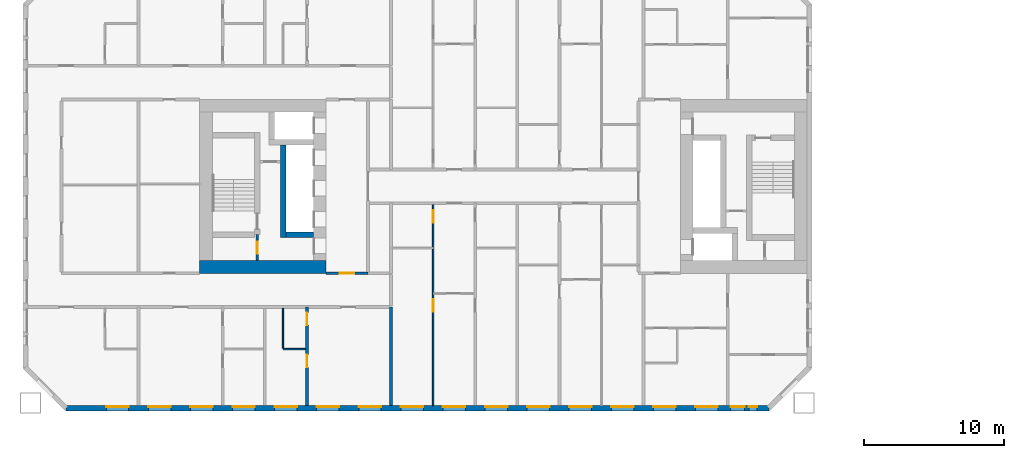
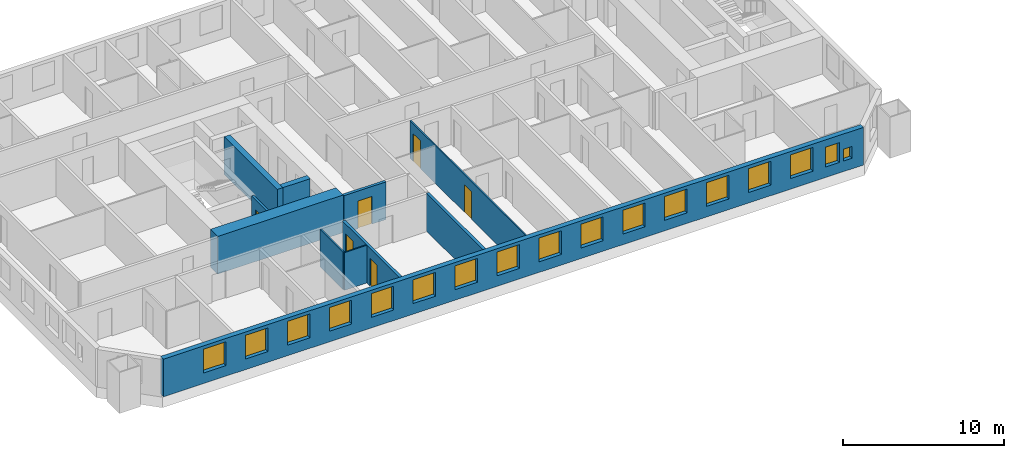
# One storey, part 3 of 16: 17 windows, 11 walls, 6 doors, 23 openings.
"""IFC4 building model written with IfcOpenShell, lengths in metres."""

from ifc_helpers import new_model, si_unit, direction, frame, frame_2d, origin, place, context, subcontext, project, spatial, rectangle, extrude, material, layer, layer_set, type_object, element, fill, save


model = new_model("IFC4")

# Units and contexts
model_context = context("Model", 3, precision=1e-05, world=origin(), true_north=direction((0.0, 1.0)))
body_context = subcontext(model_context, "Body", "Model", "MODEL_VIEW")
ifc_project = project(units=[si_unit("LENGTHUNIT", "METRE"), si_unit("AREAUNIT", "SQUARE_METRE"), si_unit("VOLUMEUNIT", "CUBIC_METRE"), si_unit("PLANEANGLEUNIT", "RADIAN"), si_unit("MASSUNIT", "GRAM", prefix="KILO")], contexts=[model_context])

# Site, building, storey
site_placement = place(None, origin())
site = spatial("IfcSite", under=ifc_project, at=site_placement, CompositionType="ELEMENT")
building_placement = place(site_placement, origin())
building = spatial("IfcBuilding", under=site, at=building_placement, Name="Tuart Gate Housing", CompositionType="ELEMENT")
storey_placement = place(building_placement, frame((0.0, 0.0, 19.5)))
storey = spatial("IfcBuildingStorey", under=building, at=storey_placement, Name="L04", CompositionType="ELEMENT", Elevation=19.5)

# Wall, openings, windows
ifc_material_1 = material(Name="Brick", Category="masonry")
ifc_layer_1 = layer(ifc_material_1, 0.360107421875)
ifc_layer_set_1 = layer_set([ifc_layer_1], Name="Brick pier and spandrel wall 360")
wall_type_1 = type_object("IfcWallType", Name="Brick pier and spandrel wall 360", PredefinedType="STANDARD", material=ifc_layer_set_1)
wall_1_placement = place(storey_placement, frame((22.82470703125, 54.179931640625, 0.0), z_axis=(0.0, 0.0, 1.0), x_axis=(1.0, 0.0, 0.0)))
wall_1 = element("IfcWall", 1, at=wall_1_placement, inside=storey, type_object=wall_type_1, Name="External wall A-S L04", PredefinedType="STANDARD", context=body_context, shape_type="SweptSolid", body=[
    extrude(rectangle(XDim=50.100830078125, YDim=0.360107421875, at=frame_2d((25.05029296875, 0.0))), origin(), (0.0, 0.0, 1.0), 2.85009765625),
])
opening_1_placement = place(wall_1_placement, frame((2.87548828125, 0.0, 0.800048828125)))
opening_1 = element("IfcOpeningElement", 2, at=opening_1_placement, cuts=wall_1, Name="Opening W1", PredefinedType="OPENING", context=body_context, shape_type="SweptSolid", body=[
    extrude(rectangle(XDim=1.60009765625, YDim=1.800048828125, at=frame_2d((0.800048828125, 0.89990234375))), frame((0.0, 0.18994140625, 0.0), z_axis=(0.0, -1.0, 0.0), x_axis=(1.0, 0.0, 0.0)), (0.0, 0.0, 1.0), 0.380126953125),
])
opening_2_placement = place(wall_1_placement, frame((5.87548828125, 0.0, 0.800048828125)))
opening_2 = element("IfcOpeningElement", 3, at=opening_2_placement, cuts=wall_1, Name="Opening W1", PredefinedType="OPENING", context=body_context, shape_type="SweptSolid", body=[
    extrude(rectangle(XDim=1.60009765625, YDim=1.800048828125, at=frame_2d((0.800048828125, 0.89990234375))), frame((0.0, 0.18994140625, 0.0), z_axis=(0.0, -1.0, 0.0), x_axis=(1.0, 0.0, 0.0)), (0.0, 0.0, 1.0), 0.380126953125),
])
opening_3_placement = place(wall_1_placement, frame((8.87548828125, 0.0, 0.800048828125)))
opening_3 = element("IfcOpeningElement", 4, at=opening_3_placement, cuts=wall_1, Name="Opening W1", PredefinedType="OPENING", context=body_context, shape_type="SweptSolid", body=[
    extrude(rectangle(XDim=1.60009765625, YDim=1.800048828125, at=frame_2d((0.800048828125, 0.89990234375))), frame((0.0, 0.18994140625, 0.0), z_axis=(0.0, -1.0, 0.0), x_axis=(1.0, 0.0, 0.0)), (0.0, 0.0, 1.0), 0.380126953125),
])
opening_4_placement = place(wall_1_placement, frame((11.87548828125, 0.0, 0.800048828125)))
opening_4 = element("IfcOpeningElement", 5, at=opening_4_placement, cuts=wall_1, Name="Opening W1", PredefinedType="OPENING", context=body_context, shape_type="SweptSolid", body=[
    extrude(rectangle(XDim=1.60009765625, YDim=1.800048828125, at=frame_2d((0.800048828125, 0.89990234375))), frame((0.0, 0.18994140625, 0.0), z_axis=(0.0, -1.0, 0.0), x_axis=(1.0, 0.0, 0.0)), (0.0, 0.0, 1.0), 0.380126953125),
])
opening_5_placement = place(wall_1_placement, frame((14.87548828125, 0.0, 0.800048828125)))
opening_5 = element("IfcOpeningElement", 6, at=opening_5_placement, cuts=wall_1, Name="Opening W1", PredefinedType="OPENING", context=body_context, shape_type="SweptSolid", body=[
    extrude(rectangle(XDim=1.60009765625, YDim=1.800048828125, at=frame_2d((0.800048828125, 0.89990234375))), frame((0.0, 0.18994140625, 0.0), z_axis=(0.0, -1.0, 0.0), x_axis=(1.0, 0.0, 0.0)), (0.0, 0.0, 1.0), 0.380126953125),
])
opening_6_placement = place(wall_1_placement, frame((17.87548828125, 0.0, 0.800048828125)))
opening_6 = element("IfcOpeningElement", 7, at=opening_6_placement, cuts=wall_1, Name="Opening W1", PredefinedType="OPENING", context=body_context, shape_type="SweptSolid", body=[
    extrude(rectangle(XDim=1.60009765625, YDim=1.800048828125, at=frame_2d((0.800048828125, 0.89990234375))), frame((0.0, 0.18994140625, 0.0), z_axis=(0.0, -1.0, 0.0), x_axis=(1.0, 0.0, 0.0)), (0.0, 0.0, 1.0), 0.380126953125),
])
opening_7_placement = place(wall_1_placement, frame((20.87548828125, 0.0, 0.800048828125)))
opening_7 = element("IfcOpeningElement", 8, at=opening_7_placement, cuts=wall_1, Name="Opening W1", PredefinedType="OPENING", context=body_context, shape_type="SweptSolid", body=[
    extrude(rectangle(XDim=1.60009765625, YDim=1.800048828125, at=frame_2d((0.800048828125, 0.89990234375))), frame((0.0, 0.18994140625, 0.0), z_axis=(0.0, -1.0, 0.0), x_axis=(1.0, 0.0, 0.0)), (0.0, 0.0, 1.0), 0.380126953125),
])
opening_8_placement = place(wall_1_placement, frame((23.87548828125, 0.0, 0.800048828125)))
opening_8 = element("IfcOpeningElement", 9, at=opening_8_placement, cuts=wall_1, Name="Opening W1", PredefinedType="OPENING", context=body_context, shape_type="SweptSolid", body=[
    extrude(rectangle(XDim=1.60009765625, YDim=1.800048828125, at=frame_2d((0.800048828125, 0.89990234375))), frame((0.0, 0.18994140625, 0.0), z_axis=(0.0, -1.0, 0.0), x_axis=(1.0, 0.0, 0.0)), (0.0, 0.0, 1.0), 0.380126953125),
])
opening_9_placement = place(wall_1_placement, frame((26.87548828125, 0.0, 0.800048828125)))
opening_9 = element("IfcOpeningElement", 10, at=opening_9_placement, cuts=wall_1, Name="Opening W1", PredefinedType="OPENING", context=body_context, shape_type="SweptSolid", body=[
    extrude(rectangle(XDim=1.60009765625, YDim=1.800048828125, at=frame_2d((0.800048828125, 0.89990234375))), frame((0.0, 0.18994140625, 0.0), z_axis=(0.0, -1.0, 0.0), x_axis=(1.0, 0.0, 0.0)), (0.0, 0.0, 1.0), 0.380126953125),
])
opening_10_placement = place(wall_1_placement, frame((29.87548828125, 0.0, 0.800048828125)))
opening_10 = element("IfcOpeningElement", 11, at=opening_10_placement, cuts=wall_1, Name="Opening W1", PredefinedType="OPENING", context=body_context, shape_type="SweptSolid", body=[
    extrude(rectangle(XDim=1.60009765625, YDim=1.800048828125, at=frame_2d((0.800048828125, 0.89990234375))), frame((0.0, 0.18994140625, 0.0), z_axis=(0.0, -1.0, 0.0), x_axis=(1.0, 0.0, 0.0)), (0.0, 0.0, 1.0), 0.380126953125),
])
opening_11_placement = place(wall_1_placement, frame((32.87548828125, 0.0, 0.800048828125)))
opening_11 = element("IfcOpeningElement", 12, at=opening_11_placement, cuts=wall_1, Name="Opening W1", PredefinedType="OPENING", context=body_context, shape_type="SweptSolid", body=[
    extrude(rectangle(XDim=1.60009765625, YDim=1.800048828125, at=frame_2d((0.800048828125, 0.89990234375))), frame((0.0, 0.18994140625, 0.0), z_axis=(0.0, -1.0, 0.0), x_axis=(1.0, 0.0, 0.0)), (0.0, 0.0, 1.0), 0.380126953125),
])
opening_12_placement = place(wall_1_placement, frame((35.87548828125, 0.0, 0.800048828125)))
opening_12 = element("IfcOpeningElement", 13, at=opening_12_placement, cuts=wall_1, Name="Opening W1", PredefinedType="OPENING", context=body_context, shape_type="SweptSolid", body=[
    extrude(rectangle(XDim=1.60009765625, YDim=1.800048828125, at=frame_2d((0.800048828125, 0.89990234375))), frame((0.0, 0.18994140625, 0.0), z_axis=(0.0, -1.0, 0.0), x_axis=(1.0, 0.0, 0.0)), (0.0, 0.0, 1.0), 0.380126953125),
])
opening_13_placement = place(wall_1_placement, frame((38.87548828125, 0.0, 0.800048828125)))
opening_13 = element("IfcOpeningElement", 14, at=opening_13_placement, cuts=wall_1, Name="Opening W1", PredefinedType="OPENING", context=body_context, shape_type="SweptSolid", body=[
    extrude(rectangle(XDim=1.60009765625, YDim=1.800048828125, at=frame_2d((0.800048828125, 0.89990234375))), frame((0.0, 0.18994140625, 0.0), z_axis=(0.0, -1.0, 0.0), x_axis=(1.0, 0.0, 0.0)), (0.0, 0.0, 1.0), 0.380126953125),
])
opening_14_placement = place(wall_1_placement, frame((41.87548828125, 0.0, 0.800048828125)))
opening_14 = element("IfcOpeningElement", 15, at=opening_14_placement, cuts=wall_1, Name="Opening W1", PredefinedType="OPENING", context=body_context, shape_type="SweptSolid", body=[
    extrude(rectangle(XDim=1.60009765625, YDim=1.800048828125, at=frame_2d((0.800048828125, 0.89990234375))), frame((0.0, 0.18994140625, 0.0), z_axis=(0.0, -1.0, 0.0), x_axis=(1.0, 0.0, 0.0)), (0.0, 0.0, 1.0), 0.380126953125),
])
opening_15_placement = place(wall_1_placement, frame((44.87548828125, 0.0, 0.800048828125)))
opening_15 = element("IfcOpeningElement", 16, at=opening_15_placement, cuts=wall_1, Name="Opening W1", PredefinedType="OPENING", context=body_context, shape_type="SweptSolid", body=[
    extrude(rectangle(XDim=1.60009765625, YDim=1.800048828125, at=frame_2d((0.800048828125, 0.89990234375))), frame((0.0, 0.18994140625, 0.0), z_axis=(0.0, -1.0, 0.0), x_axis=(1.0, 0.0, 0.0)), (0.0, 0.0, 1.0), 0.380126953125),
])
opening_16_placement = place(wall_1_placement, frame((47.37548828125, 0.0, 0.800048828125)))
opening_16 = element("IfcOpeningElement", 17, at=opening_16_placement, cuts=wall_1, Name="Opening W1I", PredefinedType="OPENING", context=body_context, shape_type="SweptSolid", body=[
    extrude(rectangle(XDim=1.0, YDim=1.5, at=frame_2d((0.5, 0.75))), frame((0.0, 0.18994140625, 0.0), z_axis=(0.0, -1.0, 0.0), x_axis=(1.0, 0.0, 0.0)), (0.0, 0.0, 1.0), 0.380126953125),
])
opening_17_placement = place(wall_1_placement, frame((48.67529296875, 0.0, 0.800048828125)))
opening_17 = element("IfcOpeningElement", 18, at=opening_17_placement, cuts=wall_1, Name="Opening W1W", PredefinedType="OPENING", context=body_context, shape_type="SweptSolid", body=[
    extrude(rectangle(XDim=0.60009765625, YDim=0.89990234375, at=frame_2d((0.300048828125, 0.449951171875))), frame((0.0, 0.18994140625, 0.0), z_axis=(0.0, -1.0, 0.0), x_axis=(1.0, 0.0, 0.0)), (0.0, 0.0, 1.0), 0.380126953125),
])
ifc_material_2 = material(Name="Aluminium frame with clear glass", Category="aluminium")
window_type_1 = type_object("IfcWindowType", Name="Punched window 1000 x 1500", PartitioningType="SINGLE_PANEL", PredefinedType="WINDOW", material=ifc_material_2)
window_1_placement = place(opening_16_placement, origin())
window_1 = element("IfcWindow", 19, at=window_1_placement, inside=storey, type_object=window_type_1, Name="Window W1I", OverallHeight=1.5, OverallWidth=1.0, PartitioningType="SINGLE_PANEL", PredefinedType="WINDOW", context=body_context, shape_type="SweptSolid", body=[
    extrude(rectangle(XDim=1.0, YDim=1.5, at=frame_2d((0.5, 0.75))), frame((0.0, 0.150146484375, 0.0), z_axis=(0.0, -1.0, 0.0), x_axis=(1.0, 0.0, 0.0)), (0.0, 0.0, 1.0), 0.06005859375),
])
fill(opening_16, window_1)
ifc_material_3 = material(Name="Aluminium frame with clear glass", Category="aluminium")
window_type_2 = type_object("IfcWindowType", Name="Punched window 1600 x 1800", PartitioningType="SINGLE_PANEL", PredefinedType="WINDOW", material=ifc_material_3)
window_2_placement = place(opening_1_placement, origin())
window_2 = element("IfcWindow", 20, at=window_2_placement, inside=storey, type_object=window_type_2, Name="Window W1", OverallHeight=1.800048828125, OverallWidth=1.60009765625, PartitioningType="SINGLE_PANEL", PredefinedType="WINDOW", context=body_context, shape_type="SweptSolid", body=[
    extrude(rectangle(XDim=1.60009765625, YDim=1.800048828125, at=frame_2d((0.800048828125, 0.89990234375))), frame((0.0, 0.150146484375, 0.0), z_axis=(0.0, -1.0, 0.0), x_axis=(1.0, 0.0, 0.0)), (0.0, 0.0, 1.0), 0.06005859375),
])
fill(opening_1, window_2)
window_3_placement = place(opening_2_placement, origin())
window_3 = element("IfcWindow", 21, at=window_3_placement, inside=storey, type_object=window_type_2, Name="Window W1", OverallHeight=1.800048828125, OverallWidth=1.60009765625, PartitioningType="SINGLE_PANEL", PredefinedType="WINDOW", context=body_context, shape_type="SweptSolid", body=[
    extrude(rectangle(XDim=1.60009765625, YDim=1.800048828125, at=frame_2d((0.800048828125, 0.89990234375))), frame((0.0, 0.150146484375, 0.0), z_axis=(0.0, -1.0, 0.0), x_axis=(1.0, 0.0, 0.0)), (0.0, 0.0, 1.0), 0.06005859375),
])
fill(opening_2, window_3)
window_4_placement = place(opening_3_placement, origin())
window_4 = element("IfcWindow", 22, at=window_4_placement, inside=storey, type_object=window_type_2, Name="Window W1", OverallHeight=1.800048828125, OverallWidth=1.60009765625, PartitioningType="SINGLE_PANEL", PredefinedType="WINDOW", context=body_context, shape_type="SweptSolid", body=[
    extrude(rectangle(XDim=1.60009765625, YDim=1.800048828125, at=frame_2d((0.800048828125, 0.89990234375))), frame((0.0, 0.150146484375, 0.0), z_axis=(0.0, -1.0, 0.0), x_axis=(1.0, 0.0, 0.0)), (0.0, 0.0, 1.0), 0.06005859375),
])
fill(opening_3, window_4)
window_5_placement = place(opening_4_placement, origin())
window_5 = element("IfcWindow", 23, at=window_5_placement, inside=storey, type_object=window_type_2, Name="Window W1", OverallHeight=1.800048828125, OverallWidth=1.60009765625, PartitioningType="SINGLE_PANEL", PredefinedType="WINDOW", context=body_context, shape_type="SweptSolid", body=[
    extrude(rectangle(XDim=1.60009765625, YDim=1.800048828125, at=frame_2d((0.800048828125, 0.89990234375))), frame((0.0, 0.150146484375, 0.0), z_axis=(0.0, -1.0, 0.0), x_axis=(1.0, 0.0, 0.0)), (0.0, 0.0, 1.0), 0.06005859375),
])
fill(opening_4, window_5)
window_6_placement = place(opening_5_placement, origin())
window_6 = element("IfcWindow", 24, at=window_6_placement, inside=storey, type_object=window_type_2, Name="Window W1", OverallHeight=1.800048828125, OverallWidth=1.60009765625, PartitioningType="SINGLE_PANEL", PredefinedType="WINDOW", context=body_context, shape_type="SweptSolid", body=[
    extrude(rectangle(XDim=1.60009765625, YDim=1.800048828125, at=frame_2d((0.800048828125, 0.89990234375))), frame((0.0, 0.150146484375, 0.0), z_axis=(0.0, -1.0, 0.0), x_axis=(1.0, 0.0, 0.0)), (0.0, 0.0, 1.0), 0.06005859375),
])
fill(opening_5, window_6)
window_7_placement = place(opening_6_placement, origin())
window_7 = element("IfcWindow", 25, at=window_7_placement, inside=storey, type_object=window_type_2, Name="Window W1", OverallHeight=1.800048828125, OverallWidth=1.60009765625, PartitioningType="SINGLE_PANEL", PredefinedType="WINDOW", context=body_context, shape_type="SweptSolid", body=[
    extrude(rectangle(XDim=1.60009765625, YDim=1.800048828125, at=frame_2d((0.800048828125, 0.89990234375))), frame((0.0, 0.150146484375, 0.0), z_axis=(0.0, -1.0, 0.0), x_axis=(1.0, 0.0, 0.0)), (0.0, 0.0, 1.0), 0.06005859375),
])
fill(opening_6, window_7)
window_8_placement = place(opening_7_placement, origin())
window_8 = element("IfcWindow", 26, at=window_8_placement, inside=storey, type_object=window_type_2, Name="Window W1", OverallHeight=1.800048828125, OverallWidth=1.60009765625, PartitioningType="SINGLE_PANEL", PredefinedType="WINDOW", context=body_context, shape_type="SweptSolid", body=[
    extrude(rectangle(XDim=1.60009765625, YDim=1.800048828125, at=frame_2d((0.800048828125, 0.89990234375))), frame((0.0, 0.150146484375, 0.0), z_axis=(0.0, -1.0, 0.0), x_axis=(1.0, 0.0, 0.0)), (0.0, 0.0, 1.0), 0.06005859375),
])
fill(opening_7, window_8)
window_9_placement = place(opening_8_placement, origin())
window_9 = element("IfcWindow", 27, at=window_9_placement, inside=storey, type_object=window_type_2, Name="Window W1", OverallHeight=1.800048828125, OverallWidth=1.60009765625, PartitioningType="SINGLE_PANEL", PredefinedType="WINDOW", context=body_context, shape_type="SweptSolid", body=[
    extrude(rectangle(XDim=1.60009765625, YDim=1.800048828125, at=frame_2d((0.800048828125, 0.89990234375))), frame((0.0, 0.150146484375, 0.0), z_axis=(0.0, -1.0, 0.0), x_axis=(1.0, 0.0, 0.0)), (0.0, 0.0, 1.0), 0.06005859375),
])
fill(opening_8, window_9)
window_10_placement = place(opening_9_placement, origin())
window_10 = element("IfcWindow", 28, at=window_10_placement, inside=storey, type_object=window_type_2, Name="Window W1", OverallHeight=1.800048828125, OverallWidth=1.60009765625, PartitioningType="SINGLE_PANEL", PredefinedType="WINDOW", context=body_context, shape_type="SweptSolid", body=[
    extrude(rectangle(XDim=1.60009765625, YDim=1.800048828125, at=frame_2d((0.800048828125, 0.89990234375))), frame((0.0, 0.150146484375, 0.0), z_axis=(0.0, -1.0, 0.0), x_axis=(1.0, 0.0, 0.0)), (0.0, 0.0, 1.0), 0.06005859375),
])
fill(opening_9, window_10)
window_11_placement = place(opening_10_placement, origin())
window_11 = element("IfcWindow", 29, at=window_11_placement, inside=storey, type_object=window_type_2, Name="Window W1", OverallHeight=1.800048828125, OverallWidth=1.60009765625, PartitioningType="SINGLE_PANEL", PredefinedType="WINDOW", context=body_context, shape_type="SweptSolid", body=[
    extrude(rectangle(XDim=1.60009765625, YDim=1.800048828125, at=frame_2d((0.800048828125, 0.89990234375))), frame((0.0, 0.150146484375, 0.0), z_axis=(0.0, -1.0, 0.0), x_axis=(1.0, 0.0, 0.0)), (0.0, 0.0, 1.0), 0.06005859375),
])
fill(opening_10, window_11)
window_12_placement = place(opening_11_placement, origin())
window_12 = element("IfcWindow", 30, at=window_12_placement, inside=storey, type_object=window_type_2, Name="Window W1", OverallHeight=1.800048828125, OverallWidth=1.60009765625, PartitioningType="SINGLE_PANEL", PredefinedType="WINDOW", context=body_context, shape_type="SweptSolid", body=[
    extrude(rectangle(XDim=1.60009765625, YDim=1.800048828125, at=frame_2d((0.800048828125, 0.89990234375))), frame((0.0, 0.150146484375, 0.0), z_axis=(0.0, -1.0, 0.0), x_axis=(1.0, 0.0, 0.0)), (0.0, 0.0, 1.0), 0.06005859375),
])
fill(opening_11, window_12)
window_13_placement = place(opening_12_placement, origin())
window_13 = element("IfcWindow", 31, at=window_13_placement, inside=storey, type_object=window_type_2, Name="Window W1", OverallHeight=1.800048828125, OverallWidth=1.60009765625, PartitioningType="SINGLE_PANEL", PredefinedType="WINDOW", context=body_context, shape_type="SweptSolid", body=[
    extrude(rectangle(XDim=1.60009765625, YDim=1.800048828125, at=frame_2d((0.800048828125, 0.89990234375))), frame((0.0, 0.150146484375, 0.0), z_axis=(0.0, -1.0, 0.0), x_axis=(1.0, 0.0, 0.0)), (0.0, 0.0, 1.0), 0.06005859375),
])
fill(opening_12, window_13)
window_14_placement = place(opening_13_placement, origin())
window_14 = element("IfcWindow", 32, at=window_14_placement, inside=storey, type_object=window_type_2, Name="Window W1", OverallHeight=1.800048828125, OverallWidth=1.60009765625, PartitioningType="SINGLE_PANEL", PredefinedType="WINDOW", context=body_context, shape_type="SweptSolid", body=[
    extrude(rectangle(XDim=1.60009765625, YDim=1.800048828125, at=frame_2d((0.800048828125, 0.89990234375))), frame((0.0, 0.150146484375, 0.0), z_axis=(0.0, -1.0, 0.0), x_axis=(1.0, 0.0, 0.0)), (0.0, 0.0, 1.0), 0.06005859375),
])
fill(opening_13, window_14)
window_15_placement = place(opening_14_placement, origin())
window_15 = element("IfcWindow", 33, at=window_15_placement, inside=storey, type_object=window_type_2, Name="Window W1", OverallHeight=1.800048828125, OverallWidth=1.60009765625, PartitioningType="SINGLE_PANEL", PredefinedType="WINDOW", context=body_context, shape_type="SweptSolid", body=[
    extrude(rectangle(XDim=1.60009765625, YDim=1.800048828125, at=frame_2d((0.800048828125, 0.89990234375))), frame((0.0, 0.150146484375, 0.0), z_axis=(0.0, -1.0, 0.0), x_axis=(1.0, 0.0, 0.0)), (0.0, 0.0, 1.0), 0.06005859375),
])
fill(opening_14, window_15)
window_16_placement = place(opening_15_placement, origin())
window_16 = element("IfcWindow", 34, at=window_16_placement, inside=storey, type_object=window_type_2, Name="Window W1", OverallHeight=1.800048828125, OverallWidth=1.60009765625, PartitioningType="SINGLE_PANEL", PredefinedType="WINDOW", context=body_context, shape_type="SweptSolid", body=[
    extrude(rectangle(XDim=1.60009765625, YDim=1.800048828125, at=frame_2d((0.800048828125, 0.89990234375))), frame((0.0, 0.150146484375, 0.0), z_axis=(0.0, -1.0, 0.0), x_axis=(1.0, 0.0, 0.0)), (0.0, 0.0, 1.0), 0.06005859375),
])
fill(opening_15, window_16)
ifc_material_4 = material(Name="Aluminium frame with clear glass", Category="aluminium")
window_type_3 = type_object("IfcWindowType", Name="Punched window 600 x 900", PartitioningType="SINGLE_PANEL", PredefinedType="WINDOW", material=ifc_material_4)
window_17_placement = place(opening_17_placement, origin())
window_17 = element("IfcWindow", 35, at=window_17_placement, inside=storey, type_object=window_type_3, Name="Window W1W", OverallHeight=0.89990234375, OverallWidth=0.60009765625, PartitioningType="SINGLE_PANEL", PredefinedType="WINDOW", context=body_context, shape_type="SweptSolid", body=[
    extrude(rectangle(XDim=0.60009765625, YDim=0.89990234375, at=frame_2d((0.300048828125, 0.449951171875))), frame((0.0, 0.150146484375, 0.0), z_axis=(0.0, -1.0, 0.0), x_axis=(1.0, 0.0, 0.0)), (0.0, 0.0, 1.0), 0.06005859375),
])
fill(opening_17, window_17)

# Wall, opening, door
ifc_material_5 = material(Name="Plasterboard partition")
ifc_layer_2 = layer(ifc_material_5, 0.14990234375)
ifc_layer_set_2 = layer_set([ifc_layer_2], Name="Core partition 150")
wall_type_2 = type_object("IfcWallType", Name="Core partition 150", PredefinedType="PARTITIONING", material=ifc_layer_set_2)
wall_2_placement = place(storey_placement, frame((36.4599609375, 66.550048828125, 0.0), z_axis=(0.0, 0.0, 1.0), x_axis=(0.0, -1.0, 0.0)))
wall_2 = element("IfcWall", 36, at=wall_2_placement, inside=storey, type_object=wall_type_2, Name="Core partition AK.9", PredefinedType="PARTITIONING", context=body_context, shape_type="SweptSolid", body=[
    extrude(rectangle(XDim=1.85009765625, YDim=0.14990234375, at=frame_2d((0.925048828125, 0.0))), origin(), (0.0, 0.0, 1.0), 2.85009765625),
])
opening_18_placement = place(wall_2_placement, frame((0.5, 0.0, 0.0)))
opening_18 = element("IfcOpeningElement", 37, at=opening_18_placement, cuts=wall_2, Name="Opening D382", PredefinedType="OPENING", context=body_context, shape_type="SweptSolid", body=[
    extrude(rectangle(XDim=0.85009765625, YDim=2.10009765625, at=frame_2d((0.425048828125, 1.050048828125))), frame((0.0, 0.0849609375, 0.0), z_axis=(0.0, -1.0, 0.0), x_axis=(1.0, 0.0, 0.0)), (0.0, 0.0, 1.0), 0.169921875),
])
ifc_material_6 = material(Name="Steel fire door", Category="steel")
door_type_1 = type_object("IfcDoorType", Name="Service door 850 x 2100 RH", OperationType="SINGLE_SWING_RIGHT", PredefinedType="DOOR", material=ifc_material_6)
door_1_placement = place(opening_18_placement, frame((0.85009765625, 0.0, 0.0), z_axis=(0.0, 0.0, 1.0), x_axis=(-1.0, 0.0, 0.0)))
door_1 = element("IfcDoor", 38, at=door_1_placement, inside=storey, type_object=door_type_1, Name="Service room door AK.ST", OperationType="SINGLE_SWING_RIGHT", OverallHeight=2.10009765625, OverallWidth=0.85009765625, PredefinedType="DOOR", context=body_context, shape_type="SweptSolid", body=[
    extrude(rectangle(XDim=0.85009765625, YDim=2.10009765625, at=frame_2d((0.425048828125, 1.050048828125))), frame((0.0, 0.025146484375, 0.0), z_axis=(0.0, -1.0, 0.0), x_axis=(1.0, 0.0, 0.0)), (0.0, 0.0, 1.0), 0.050048828125),
])
fill(opening_18, door_1)

# Walls
ifc_material_7 = material(Name="Concrete C60", Category="concrete")
ifc_layer_3 = layer(ifc_material_7, 0.39990234375)
ifc_layer_set_3 = layer_set([ifc_layer_3], Name="Core wall 400 C60")
wall_type_3 = type_object("IfcWallType", Name="Core wall 400 C60", PredefinedType="SHEAR", material=ifc_layer_set_3)
wall_3_placement = place(storey_placement, frame((40.4599609375, 66.550048828125, 0.0), z_axis=(0.0, 0.0, 1.0), x_axis=(-1.0, 0.0, 0.0)))
element("IfcWall", 39, at=wall_3_placement, inside=storey, type_object=wall_type_3, Name="Core wall AK.4", PredefinedType="SHEAR", context=body_context, shape_type="SweptSolid", body=[
    extrude(rectangle(XDim=1.949951171875, YDim=0.39990234375, at=frame_2d((0.97509765625, 0.0))), origin(), (0.0, 0.0, 1.0), 2.85009765625),
])
wall_4_placement = place(storey_placement, frame((38.31005859375, 72.949951171875, 0.0), z_axis=(0.0, 0.0, 1.0), x_axis=(0.0, -1.0, 0.0)))
element("IfcWall", 40, at=wall_4_placement, inside=storey, type_object=wall_type_3, Name="Core wall AK.6", PredefinedType="SHEAR", context=body_context, shape_type="SweptSolid", body=[
    extrude(rectangle(XDim=6.599853515625, YDim=0.39990234375, at=frame_2d((3.2998046875, 0.0))), origin(), (0.0, 0.0, 1.0), 2.85009765625),
])
ifc_material_8 = material(Name="Concrete C60", Category="concrete")
ifc_layer_4 = layer(ifc_material_8, 0.89990234375)
ifc_layer_set_4 = layer_set([ifc_layer_4], Name="Core wall 900 C60")
wall_type_4 = type_object("IfcWallType", Name="Core wall 900 C60", PredefinedType="SHEAR", material=ifc_layer_set_4)
wall_5_placement = place(storey_placement, frame((41.360107421875, 64.25, 0.0), z_axis=(0.0, 0.0, 1.0), x_axis=(-1.0, 0.0, 0.0)))
element("IfcWall", 41, at=wall_5_placement, inside=storey, type_object=wall_type_4, Name="Core wall AK north", PredefinedType="SHEAR", context=body_context, shape_type="SweptSolid", body=[
    extrude(rectangle(XDim=9.0, YDim=0.89990234375, at=frame_2d((4.5, 0.0))), origin(), (0.0, 0.0, 1.0), 2.85009765625),
])

# Wall, opening, door
ifc_material_9 = material(Name="Concrete masonry 15 MPa", Category="masonry")
ifc_layer_5 = layer(ifc_material_9, 0.199951171875)
ifc_layer_set_5 = layer_set([ifc_layer_5], Name="Enclosure wall masonry 200")
wall_type_5 = type_object("IfcWallType", Name="Enclosure wall masonry 200", PredefinedType="PARTITIONING", material=ifc_layer_set_5)
wall_6_placement = place(storey_placement, frame((41.360107421875, 63.800048828125, 0.0), z_axis=(0.0, 0.0, 1.0), x_axis=(1.0, 0.0, 0.0)))
wall_6 = element("IfcWall", 42, at=wall_6_placement, inside=storey, type_object=wall_type_5, Name="Enclosure wall masonry 200", PredefinedType="PARTITIONING", context=body_context, shape_type="SweptSolid", body=[
    extrude(rectangle(XDim=3.0, YDim=0.199951171875, at=frame_2d((1.5, 0.0))), origin(), (0.0, 0.0, 1.0), 2.85009765625),
])
opening_19_placement = place(wall_6_placement, frame((1.0, 0.0, 0.0)))
opening_19 = element("IfcOpeningElement", 43, at=opening_19_placement, cuts=wall_6, Name="Opening D385", PredefinedType="OPENING", context=body_context, shape_type="SweptSolid", body=[
    extrude(rectangle(XDim=1.0, YDim=2.10009765625, at=frame_2d((0.5, 1.050048828125))), frame((0.0, 0.10986328125, 0.0), z_axis=(0.0, -1.0, 0.0), x_axis=(1.0, 0.0, 0.0)), (0.0, 0.0, 1.0), 0.219970703125),
])
ifc_material_10 = material(Name="Timber door leaf in steel frame", Category="steel")
door_type_2 = type_object("IfcDoorType", Name="Fire door 1000", OperationType="SINGLE_SWING_LEFT", PredefinedType="DOOR", material=ifc_material_10)
door_2_placement = place(opening_19_placement, frame((1.0, 0.0, 0.0), z_axis=(0.0, 0.0, 1.0), x_axis=(-1.0, 0.0, 0.0)))
door_2 = element("IfcDoor", 44, at=door_2_placement, inside=storey, type_object=door_type_2, Name="Fire door", OperationType="SINGLE_SWING_LEFT", OverallHeight=2.10009765625, OverallWidth=1.0, PredefinedType="DOOR", context=body_context, shape_type="SweptSolid", body=[
    extrude(rectangle(XDim=1.0, YDim=2.10009765625, at=frame_2d((0.5, 1.050048828125))), frame((0.0, 0.025146484375, 0.0), z_axis=(0.0, -1.0, 0.0), x_axis=(1.0, 0.0, 0.0)), (0.0, 0.0, 1.0), 0.050048828125),
])
fill(opening_19, door_2)

# Walls
ifc_material_11 = material(Name="Gypsum board on steel studs", Category="steel")
ifc_layer_6 = layer(ifc_material_11, 0.10009765625)
ifc_layer_set_6 = layer_set([ifc_layer_6], Name="Partition 100")
wall_type_6 = type_object("IfcWallType", Name="Partition 100", PredefinedType="PARTITIONING", material=ifc_layer_set_6)
wall_7_placement = place(storey_placement, frame((38.300048828125, 58.39990234375, 0.0), z_axis=(0.0, 0.0, 1.0), x_axis=(1.0, 0.0, 0.0)))
element("IfcWall", 45, at=wall_7_placement, inside=storey, type_object=wall_type_6, Name="Partition 100", PredefinedType="PARTITIONING", context=body_context, shape_type="SweptSolid", body=[
    extrude(rectangle(XDim=1.599853515625, YDim=0.10009765625, at=frame_2d((0.7998046875, 0.0))), origin(), (0.0, 0.0, 1.0), 2.85009765625),
])
wall_8_placement = place(storey_placement, frame((38.300048828125, 58.449951171875, 0.0), z_axis=(0.0, 0.0, 1.0), x_axis=(0.0, 1.0, 0.0)))
element("IfcWall", 46, at=wall_8_placement, inside=storey, type_object=wall_type_6, Name="Partition 100", PredefinedType="PARTITIONING", context=body_context, shape_type="SweptSolid", body=[
    extrude(rectangle(XDim=2.85009765625, YDim=0.10009765625, at=frame_2d((1.425048828125, 0.0))), origin(), (0.0, 0.0, 1.0), 2.85009765625),
])

# Wall, openings, doors
wall_9_placement = place(storey_placement, frame((49.0, 54.360107421875, 0.0), z_axis=(0.0, 0.0, 1.0), x_axis=(0.0, 1.0, 0.0)))
wall_9 = element("IfcWall", 47, at=wall_9_placement, inside=storey, type_object=wall_type_6, Name="Partition 100", PredefinedType="PARTITIONING", context=body_context, shape_type="SweptSolid", body=[
    extrude(rectangle(XDim=14.33984375, YDim=0.10009765625, at=frame_2d((7.169921875, 0.0))), origin(), (0.0, 0.0, 1.0), 2.85009765625),
])
opening_20_placement = place(wall_9_placement, frame((6.699951171875, 0.0, 0.0)))
opening_20 = element("IfcOpeningElement", 48, at=opening_20_placement, cuts=wall_9, Name="Opening D394", PredefinedType="OPENING", context=body_context, shape_type="SweptSolid", body=[
    extrude(rectangle(XDim=0.89990234375, YDim=2.10009765625, at=frame_2d((0.449951171875, 1.050048828125))), frame((0.0, 0.06005859375, 0.0), z_axis=(0.0, -1.0, 0.0), x_axis=(1.0, 0.0, 0.0)), (0.0, 0.0, 1.0), 0.1201171875),
])
opening_21_placement = place(wall_9_placement, frame((13.0400390625, 0.0, 0.0)))
opening_21 = element("IfcOpeningElement", 49, at=opening_21_placement, cuts=wall_9, Name="Opening D393", PredefinedType="OPENING", context=body_context, shape_type="SweptSolid", body=[
    extrude(rectangle(XDim=0.89990234375, YDim=2.10009765625, at=frame_2d((0.449951171875, 1.050048828125))), frame((0.0, 0.06005859375, 0.0), z_axis=(0.0, -1.0, 0.0), x_axis=(1.0, 0.0, 0.0)), (0.0, 0.0, 1.0), 0.1201171875),
])
ifc_material_12 = material(Name="Timber door leaf in steel frame", Category="steel")
door_type_3 = type_object("IfcDoorType", Name="Bathroom door 900 RH", OperationType="SINGLE_SWING_RIGHT", PredefinedType="DOOR", material=ifc_material_12)
door_3_placement = place(opening_21_placement, origin())
door_3 = element("IfcDoor", 50, at=door_3_placement, inside=storey, type_object=door_type_3, Name="Bathroom door", OperationType="SINGLE_SWING_RIGHT", OverallHeight=2.10009765625, OverallWidth=0.89990234375, PredefinedType="DOOR", context=body_context, shape_type="SweptSolid", body=[
    extrude(rectangle(XDim=0.89990234375, YDim=2.10009765625, at=frame_2d((0.449951171875, 1.050048828125))), frame((0.0, 0.02490234375, 0.0), z_axis=(0.0, -1.0, 0.0), x_axis=(1.0, 0.0, 0.0)), (0.0, 0.0, 1.0), 0.050048828125),
])
fill(opening_21, door_3)
ifc_material_13 = material(Name="Timber door leaf in steel frame", Category="steel")
door_type_4 = type_object("IfcDoorType", Name="Internal door 900 RH", OperationType="SINGLE_SWING_RIGHT", PredefinedType="DOOR", material=ifc_material_13)
door_4_placement = place(opening_20_placement, origin())
door_4 = element("IfcDoor", 51, at=door_4_placement, inside=storey, type_object=door_type_4, Name="Internal door", OperationType="SINGLE_SWING_RIGHT", OverallHeight=2.10009765625, OverallWidth=0.89990234375, PredefinedType="DOOR", context=body_context, shape_type="SweptSolid", body=[
    extrude(rectangle(XDim=0.89990234375, YDim=2.10009765625, at=frame_2d((0.449951171875, 1.050048828125))), frame((0.0, 0.02490234375, 0.0), z_axis=(0.0, -1.0, 0.0), x_axis=(1.0, 0.0, 0.0)), (0.0, 0.0, 1.0), 0.050048828125),
])
fill(opening_20, door_4)

ifc_material_14 = material(Name="Concrete C40", Category="concrete")
ifc_layer_7 = layer(ifc_material_14, 0.199951171875)
ifc_layer_set_7 = layer_set([ifc_layer_7], Name="Party wall concrete C40 200")
wall_type_7 = type_object("IfcWallType", Name="Party wall concrete C40 200", PredefinedType="SOLIDWALL", material=ifc_layer_set_7)
wall_10_placement = place(storey_placement, frame((40.0, 54.360107421875, 0.0), z_axis=(0.0, 0.0, 1.0), x_axis=(0.0, 1.0, 0.0)))
wall_10 = element("IfcWall", 52, at=wall_10_placement, inside=storey, type_object=wall_type_7, Name="Party wall concrete C40 200", PredefinedType="SOLIDWALL", context=body_context, shape_type="SweptSolid", body=[
    extrude(rectangle(XDim=7.039794921875, YDim=0.199951171875, at=frame_2d((3.52001953125, 0.0))), origin(), (0.0, 0.0, 1.0), 2.85009765625),
])
opening_22_placement = place(wall_10_placement, frame((2.739990234375, 0.0, 0.0)))
opening_22 = element("IfcOpeningElement", 53, at=opening_22_placement, cuts=wall_10, Name="Opening D408", PredefinedType="OPENING", context=body_context, shape_type="SweptSolid", body=[
    extrude(rectangle(XDim=0.89990234375, YDim=2.10009765625, at=frame_2d((0.449951171875, 1.050048828125))), frame((0.0, 0.10986328125, 0.0), z_axis=(0.0, -1.0, 0.0), x_axis=(1.0, 0.0, 0.0)), (0.0, 0.0, 1.0), 0.219970703125),
])
opening_23_placement = place(wall_10_placement, frame((5.739990234375, 0.0, 0.0)))
opening_23 = element("IfcOpeningElement", 54, at=opening_23_placement, cuts=wall_10, Name="Opening D407", PredefinedType="OPENING", context=body_context, shape_type="SweptSolid", body=[
    extrude(rectangle(XDim=0.89990234375, YDim=2.10009765625, at=frame_2d((0.449951171875, 1.050048828125))), frame((0.0, 0.10986328125, 0.0), z_axis=(0.0, -1.0, 0.0), x_axis=(1.0, 0.0, 0.0)), (0.0, 0.0, 1.0), 0.219970703125),
])
door_5_placement = place(opening_23_placement, origin())
door_5 = element("IfcDoor", 55, at=door_5_placement, inside=storey, type_object=door_type_3, Name="Bathroom door", OperationType="SINGLE_SWING_RIGHT", OverallHeight=2.10009765625, OverallWidth=0.89990234375, PredefinedType="DOOR", context=body_context, shape_type="SweptSolid", body=[
    extrude(rectangle(XDim=0.89990234375, YDim=2.10009765625, at=frame_2d((0.449951171875, 1.050048828125))), frame((0.0, 0.02490234375, 0.0), z_axis=(0.0, -1.0, 0.0), x_axis=(1.0, 0.0, 0.0)), (0.0, 0.0, 1.0), 0.050048828125),
])
fill(opening_23, door_5)
door_6_placement = place(opening_22_placement, origin())
door_6 = element("IfcDoor", 56, at=door_6_placement, inside=storey, type_object=door_type_4, Name="Internal door", OperationType="SINGLE_SWING_RIGHT", OverallHeight=2.10009765625, OverallWidth=0.89990234375, PredefinedType="DOOR", context=body_context, shape_type="SweptSolid", body=[
    extrude(rectangle(XDim=0.89990234375, YDim=2.10009765625, at=frame_2d((0.449951171875, 1.050048828125))), frame((0.0, 0.02490234375, 0.0), z_axis=(0.0, -1.0, 0.0), x_axis=(1.0, 0.0, 0.0)), (0.0, 0.0, 1.0), 0.050048828125),
])
fill(opening_22, door_6)

# Wall
wall_11_placement = place(storey_placement, frame((46.0, 54.360107421875, 0.0), z_axis=(0.0, 0.0, 1.0), x_axis=(0.0, 1.0, 0.0)))
element("IfcWall", 57, at=wall_11_placement, inside=storey, type_object=wall_type_7, Name="Party wall concrete C40 200", PredefinedType="SOLIDWALL", context=body_context, shape_type="SweptSolid", body=[
    extrude(rectangle(XDim=7.039794921875, YDim=0.199951171875, at=frame_2d((3.52001953125, 0.0))), origin(), (0.0, 0.0, 1.0), 2.85009765625),
])

save(model, "model.ifc")
